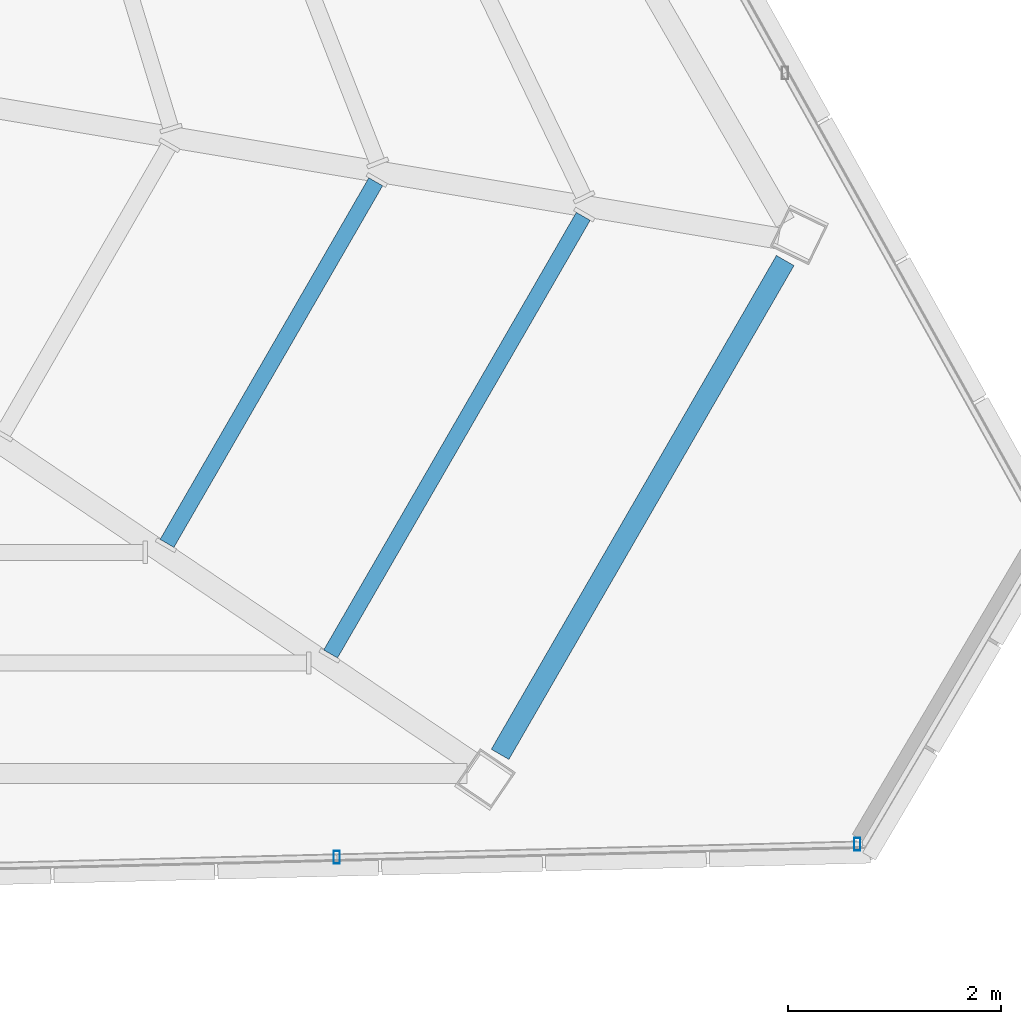
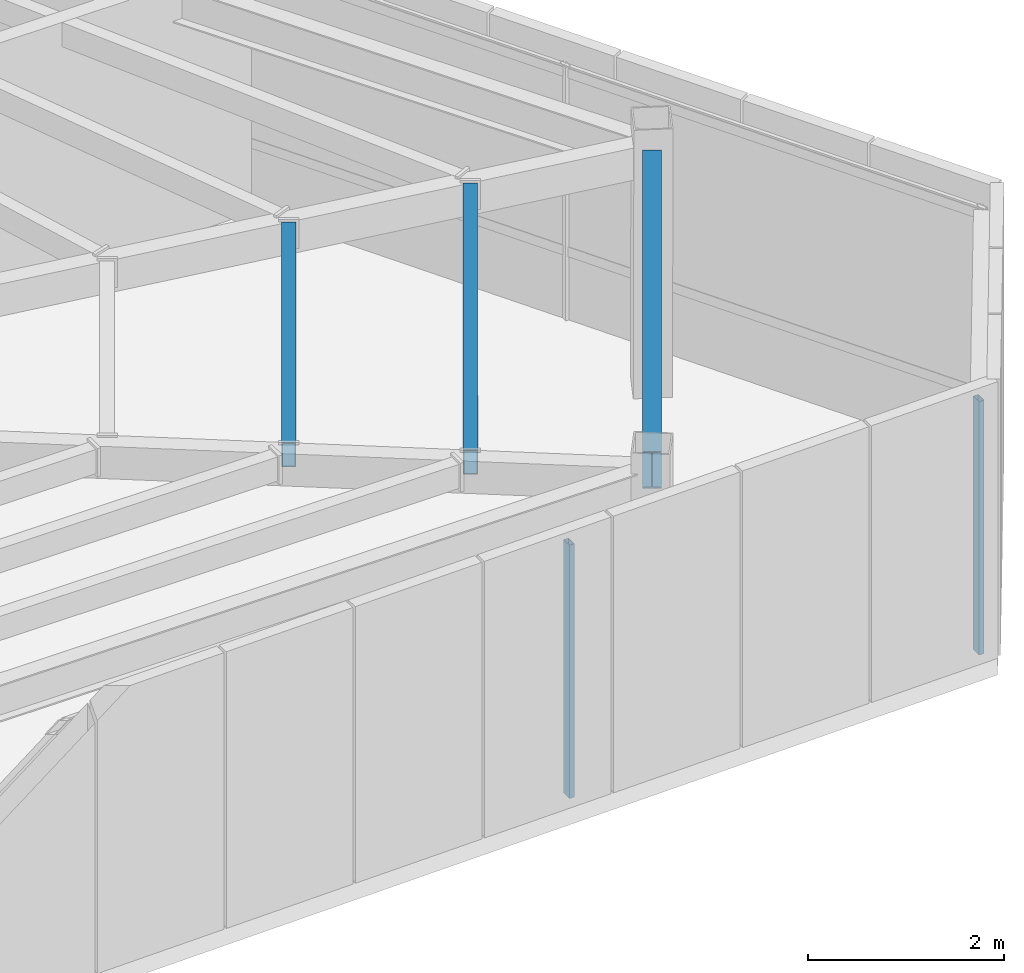
# One storey, part 23 of 47: 3 beams, 2 members, 1 element without a shape of its own.
"""IFC4 building model written with IfcOpenShell, lengths in metres."""

from ifc_helpers import new_model, si_unit, direction, frame, origin, origin_2d, place, context, subcontext, project, spatial, hollow_rectangle, i_section, extrude, source, transform, mapped, material, material_profile, profile_set, type_object, type_shapes, element, aggregate, save


model = new_model("IFC4")

# Units and contexts
model_context = context("Model", 3, precision=1e-05, world=origin(), true_north=direction((0.0, 1.0)))
body_context = subcontext(model_context, "Body", "Model", "MODEL_VIEW")
ifc_project = project(units=[si_unit("LENGTHUNIT", "METRE"), si_unit("AREAUNIT", "SQUARE_METRE"), si_unit("VOLUMEUNIT", "CUBIC_METRE"), si_unit("PLANEANGLEUNIT", "RADIAN"), si_unit("MASSUNIT", "GRAM", prefix="KILO")], contexts=[model_context])

# Site, building, storey
site_placement = place(None, origin())
site = spatial("IfcSite", under=ifc_project, at=site_placement, CompositionType="ELEMENT")
building_placement = place(site_placement, origin())
building = spatial("IfcBuilding", under=site, at=building_placement, Name="Caelisora Broadcast Tower", CompositionType="ELEMENT")
storey_placement = place(building_placement, frame((0.0, 0.0, 293.199951171875)))
storey = spatial("IfcBuildingStorey", under=building, at=storey_placement, Name="L77", CompositionType="ELEMENT", Elevation=293.199951171875)

# Beams
ifc_material_1 = material(Name="Steel Grade 350 (AS/NZS 3679.1)", Category="steel")
ifc_material_profile_1 = material_profile(ifc_material_1, i_section(OverallWidth=0.19091796875, OverallDepth=0.46044921875, WebThickness=0.010009765625, FlangeThickness=0.01611328125, at=origin_2d()), Name="Steel Grade 350 (AS/NZS 3679.1)")
ifc_profile_set_1 = profile_set([ifc_material_profile_1], Name="Steel Grade 350 (AS/NZS 3679.1)")
beam_type_1 = type_object("IfcBeamType", Name="PG06", PredefinedType="BEAM", material=ifc_profile_set_1)
shared_shape_1 = source(origin(), body_context, "Body", "SweptSolid", [
    extrude(i_section(OverallWidth=0.19091796875, OverallDepth=0.46044921875, WebThickness=0.010009765625, FlangeThickness=0.01611328125, at=origin_2d()), origin(), (0.0, 0.0, 1.0), 5.35546875),
])
type_shapes(beam_type_1, [shared_shape_1])
beam_1_placement = place(storey_placement, frame((56.359375, 10.308349609375, 2.919921875), z_axis=(0.500002630489, 0.866023885066, 0.0), x_axis=(-0.866023885066, 0.500002630489, 0.0)))
element("IfcBeam", 1, at=beam_1_placement, inside=storey, type_object=beam_type_1, Name="L77 beam PG06", PredefinedType="BEAM", context=body_context, shape_type="MappedRepresentation", body=[
    mapped(shared_shape_1, transform((0.0, 0.0, 0.0), scale=1.0)),
])
ifc_material_2 = material(Name="Steel Grade 350 (AS/NZS 1163 C350L0)", Category="steel")
ifc_material_profile_2 = material_profile(ifc_material_2, hollow_rectangle(XDim=0.14990234375, YDim=0.300048828125, WallThickness=0.010009765625, at=origin_2d()), Name="Steel Grade 350 (AS/NZS 1163 C350L0)")
ifc_profile_set_2 = profile_set([ifc_material_profile_2], Name="Steel Grade 350 (AS/NZS 1163 C350L0)")
beam_type_2 = type_object("IfcBeamType", Name="SB05", PredefinedType="JOIST", material=ifc_profile_set_2)
shared_shape_2 = source(origin(), body_context, "Body", "SweptSolid", [
    extrude(hollow_rectangle(XDim=0.14990234375, YDim=0.300048828125, WallThickness=0.010009765625, at=origin_2d()), origin(), (0.0, 0.0, 1.0), 3.92138671875),
])
beam_2_placement = place(storey_placement, frame((53.23095703125, 12.2900390625, 3.0), z_axis=(0.500002696854, 0.866023846749, 0.0), x_axis=(-0.866023846749, 0.500002696854, 0.0)))
element("IfcBeam", 2, at=beam_2_placement, inside=storey, type_object=beam_type_2, Name="L77 beam SB05", PredefinedType="JOIST", context=body_context, shape_type="MappedRepresentation", body=[
    mapped(shared_shape_2, transform((0.0, 0.0, 0.0), scale=1.0)),
])
shared_shape_3 = source(origin(), body_context, "Body", "SweptSolid", [
    extrude(hollow_rectangle(XDim=0.14990234375, YDim=0.300048828125, WallThickness=0.010009765625, at=origin_2d()), origin(), (0.0, 0.0, 1.0), 4.745849609375),
])
type_shapes(beam_type_2, [shared_shape_2, shared_shape_3])
beam_3_placement = place(storey_placement, frame((54.767578125, 11.251220703125, 3.0), z_axis=(0.499973309328, 0.866040813102, 0.0), x_axis=(-0.866040813102, 0.499973309328, 0.0)))
element("IfcBeam", 3, at=beam_3_placement, inside=storey, type_object=beam_type_2, Name="L77 beam SB05", PredefinedType="JOIST", context=body_context, shape_type="MappedRepresentation", body=[
    mapped(shared_shape_3, transform((0.0, 0.0, 0.0), scale=1.0)),
])

# Curtain wall, members
ifc_material_3 = material(Name="Unitised Aluminium Insulated Shadow-Box Spandrel Curtain Wall", Category="aluminium")
curtain_wall_type = type_object("IfcCurtainWallType", Name="CW-SP3", PredefinedType="NOTDEFINED", material=ifc_material_3)
curtain_wall_placement = place(storey_placement, origin())
curtain_wall = element("IfcCurtainWall", 4, at=curtain_wall_placement, inside=storey, type_object=curtain_wall_type, Name="L77 curtain wall CW-SP3", PredefinedType="NOTDEFINED")
ifc_material_4 = material(Name="Aluminium 6063-T6 Anodised Terracotta Bronze", Category="aluminium")
ifc_material_profile_3 = material_profile(ifc_material_4, hollow_rectangle(XDim=0.06005859375, YDim=0.1201171875, WallThickness=0.0029296875, at=origin_2d()), Name="Aluminium 6063-T6 Anodised Terracotta Bronze")
ifc_profile_set_3 = profile_set([ifc_material_profile_3], Name="Aluminium 6063-T6 Anodised Terracotta Bronze")
member_type = type_object("IfcMemberType", Name="CWM-04", PredefinedType="MULLION", material=ifc_profile_set_3)
shared_shape_4 = source(origin(), body_context, "Body", "SweptSolid", [
    extrude(hollow_rectangle(XDim=0.06005859375, YDim=0.1201171875, WallThickness=0.0029296875, at=origin_2d()), origin(), (0.0, 0.0, 1.0), 3.150146484375),
])
type_shapes(member_type, [shared_shape_4])
member_1_placement = place(storey_placement, frame((59.714111328125, 9.4638671875, 0.0), z_axis=(0.0, 0.0, 1.0), x_axis=(1.0, 0.0, 0.0)))
member_1 = element("IfcMember", 5, at=member_1_placement, type_object=member_type, Name="L77-CW-B05 mullion #0", PredefinedType="MULLION", context=body_context, shape_type="MappedRepresentation", body=[
    mapped(shared_shape_4, transform((0.0, 0.0, 0.0), scale=1.0)),
])
member_2_placement = place(storey_placement, frame((54.82568359375, 9.343505859375, 0.0), z_axis=(0.0, 0.0, 1.0), x_axis=(1.0, 0.0, 0.0)))
member_2 = element("IfcMember", 6, at=member_2_placement, type_object=member_type, Name="L77-CW-B05 mullion #1", PredefinedType="MULLION", context=body_context, shape_type="MappedRepresentation", body=[
    mapped(shared_shape_4, transform((0.0, 0.0, 0.0), scale=1.0)),
])
aggregate(curtain_wall, [member_1, member_2])

save(model, "model.ifc")
